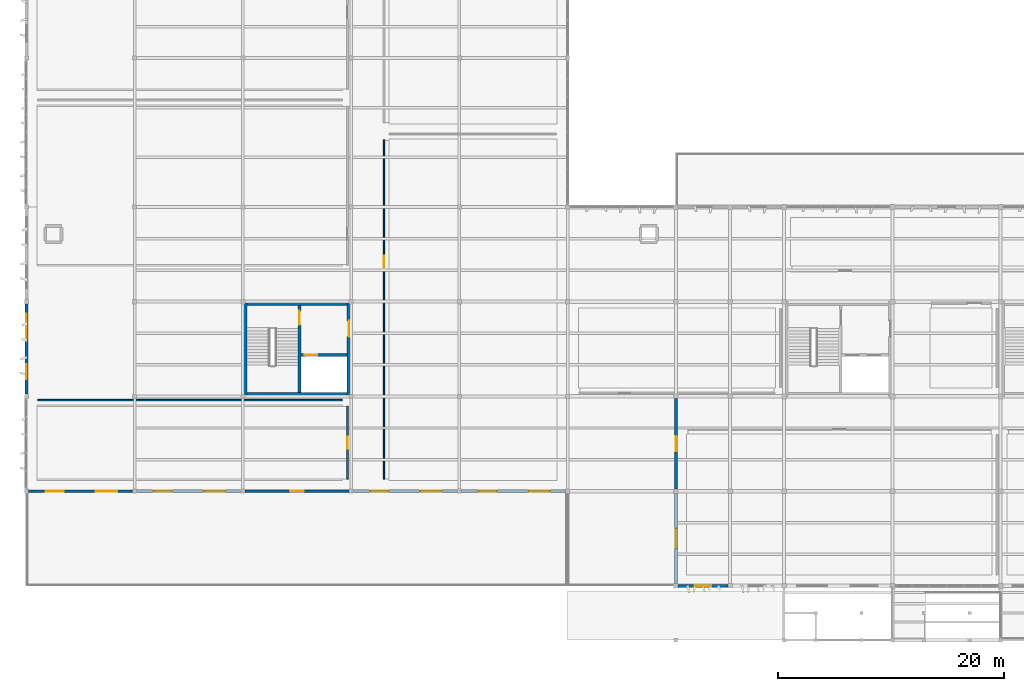
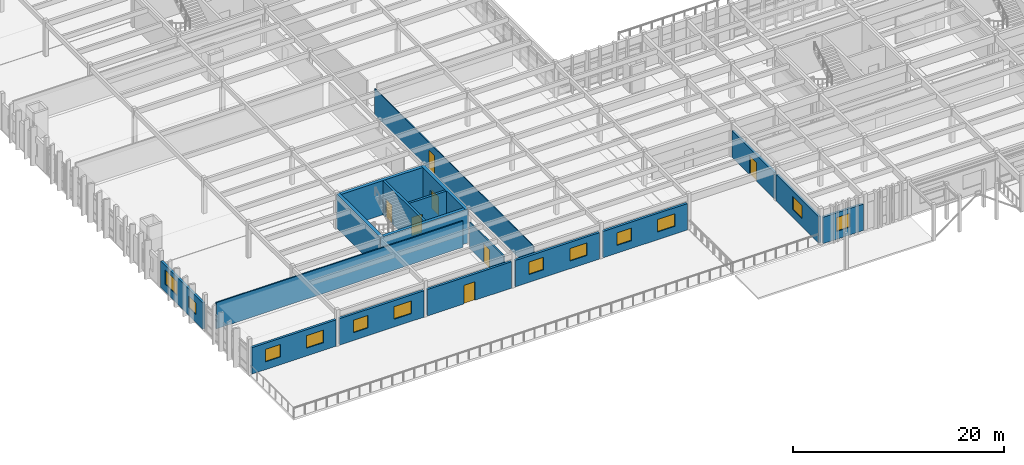
# One storey, part 40 of 61: 18 walls, 12 windows, 7 doors, 19 openings.
"""IFC4 building model written with IfcOpenShell, lengths in metres."""

from ifc_helpers import new_model, si_unit, direction, frame, frame_2d, origin, place, context, subcontext, project, spatial, rectangle, extrude, material, layer, layer_set, type_object, element, fill, save


model = new_model("IFC4")

# Units and contexts
model_context = context("Model", 3, precision=1e-05, world=origin(), true_north=direction((0.0, 1.0)))
body_context = subcontext(model_context, "Body", "Model", "MODEL_VIEW")
ifc_project = project(units=[si_unit("LENGTHUNIT", "METRE"), si_unit("AREAUNIT", "SQUARE_METRE"), si_unit("VOLUMEUNIT", "CUBIC_METRE"), si_unit("PLANEANGLEUNIT", "RADIAN"), si_unit("MASSUNIT", "GRAM", prefix="KILO")], contexts=[model_context])

# Site, building, storey
site_placement = place(None, origin())
site = spatial("IfcSite", under=ifc_project, at=site_placement, CompositionType="ELEMENT")
building_placement = place(site_placement, origin())
building = spatial("IfcBuilding", under=site, at=building_placement, Name="Kolvemor Railside Polytechnic", CompositionType="ELEMENT")
storey_placement = place(building_placement, frame((0.0, 0.0, 10.199951171875)))
storey = spatial("IfcBuildingStorey", under=building, at=storey_placement, Name="L02", CompositionType="ELEMENT", Elevation=10.199951171875)

# Walls
ifc_material_1 = material(Name="Concrete C40/50", Category="concrete")
ifc_layer_1 = layer(ifc_material_1, 0.35009765625, Name="WL-CORE-350")
ifc_layer_set_1 = layer_set([ifc_layer_1], Name="Concrete C40/50")
wall_type_1 = type_object("IfcWallType", Name="WL-CORE-350", PredefinedType="SHEAR", material=ifc_layer_set_1)
for number, where, z_axis, x_axis, name in (
    (1, (19.199951171875, 29.824951171875, 0.0), (0.0, 0.0, 1.0), (1.0, 0.0, 0.0), "CORE-4 North Core Wall L02"),
    (2, (19.199951171875, 21.77490234375, 0.0), (0.0, 0.0, 1.0), (1.0, 0.0, 0.0), "CORE-4 South Core Wall L02"),
):
    element("IfcWall", number, at=place(storey_placement, frame(where, z_axis=z_axis, x_axis=x_axis)), inside=storey, type_object=wall_type_1, Name=name, PredefinedType="SHEAR", context=body_context, shape_type="SweptSolid", body=[
        extrude(rectangle(XDim=9.60009765625, YDim=0.35009765625, at=frame_2d((4.800048828125, 0.0))), origin(), (0.0, 0.0, 1.0), 3.949951171875),
    ])
wall_1_placement = place(storey_placement, frame((19.375, 21.60009765625, 0.0), z_axis=(0.0, 0.0, 1.0), x_axis=(0.0, 1.0, 0.0)))
element("IfcWall", 3, at=wall_1_placement, inside=storey, type_object=wall_type_1, Name="CORE-4 West Core Wall L02", PredefinedType="SHEAR", context=body_context, shape_type="SweptSolid", body=[
    extrude(rectangle(XDim=8.39990234375, YDim=0.35009765625, at=frame_2d((4.199951171875, 0.0))), origin(), (0.0, 0.0, 1.0), 3.949951171875),
])

# Wall, opening, door
wall_2_placement = place(storey_placement, frame((28.625, 21.60009765625, 0.0), z_axis=(0.0, 0.0, 1.0), x_axis=(0.0, 1.0, 0.0)))
wall_2 = element("IfcWall", 4, at=wall_2_placement, inside=storey, type_object=wall_type_1, Name="CORE-4 East Core Wall L02", PredefinedType="SHEAR", context=body_context, shape_type="SweptSolid", body=[
    extrude(rectangle(XDim=8.39990234375, YDim=0.35009765625, at=frame_2d((4.199951171875, 0.0))), origin(), (0.0, 0.0, 1.0), 3.949951171875),
])
opening_1_placement = place(wall_2_placement, frame((5.300048828125, 0.0, 0.0)))
opening_1 = element("IfcOpeningElement", 5, at=opening_1_placement, cuts=wall_2, Name="Opening D-LOB-4-L02", PredefinedType="OPENING", context=body_context, shape_type="SweptSolid", body=[
    extrude(rectangle(XDim=1.39990234375, YDim=2.14990234375, at=frame_2d((0.699951171875, 1.074951171875))), frame((0.0, 0.18505859375, 0.0), z_axis=(0.0, -1.0, 0.0), x_axis=(1.0, 0.0, 0.0)), (0.0, 0.0, 1.0), 0.3701171875),
])
ifc_material_2 = material(Name="Fire-rated hardwood and brushed stainless-steel door", Category="steel")
door_type_1 = type_object("IfcDoorType", Name="DR-FD60-140x215", OperationType="NOTDEFINED", PredefinedType="DOOR", material=ifc_material_2)
door_1_placement = place(opening_1_placement, origin())
door_1 = element("IfcDoor", 6, at=door_1_placement, inside=storey, type_object=door_type_1, Name="Core Lobby Fire Door CORE-4 L02", OperationType="SINGLE_SWING_RIGHT", OverallHeight=2.14990234375, OverallWidth=1.39990234375, PredefinedType="DOOR", context=body_context, shape_type="SweptSolid", body=[
    extrude(rectangle(XDim=1.39990234375, YDim=2.14990234375, at=frame_2d((0.699951171875, 1.074951171875))), frame((0.0, 0.02490234375, 0.0), z_axis=(0.0, -1.0, 0.0), x_axis=(1.0, 0.0, 0.0)), (0.0, 0.0, 1.0), 0.050048828125),
])
fill(opening_1, door_1)

# Wall, openings, windows
ifc_material_3 = material(Name="Cross-laminated timber CLT E1", Category="wood")
ifc_layer_2 = layer(ifc_material_3, 0.2548828125, Name="WL-EXT-TM-255")
ifc_layer_set_2 = layer_set([ifc_layer_2], Name="Cross-laminated timber CLT E1")
wall_type_2 = type_object("IfcWallType", Name="WL-EXT-TM-255", PredefinedType="SOLIDWALL", material=ifc_layer_set_2)
wall_3_placement = place(storey_placement, frame((0.0, 29.800048828125, 0.0), z_axis=(0.0, 0.0, 1.0), x_axis=(0.0, -1.0, 0.0)))
wall_3 = element("IfcWall", 7, at=wall_3_placement, inside=storey, type_object=wall_type_2, Name="Exterior Wall L02-0053", PredefinedType="SOLIDWALL", context=body_context, shape_type="SweptSolid", body=[
    extrude(rectangle(XDim=8.0, YDim=0.2548828125, at=frame_2d((4.0, 0.0))), origin(), (0.0, 0.0, 1.0), 3.050048828125),
])
opening_2_placement = place(wall_3_placement, frame((0.875, 0.0, 0.89990234375)))
opening_2 = element("IfcOpeningElement", 8, at=opening_2_placement, cuts=wall_3, Name="Opening WN-M10", PredefinedType="OPENING", context=body_context, shape_type="SweptSolid", body=[
    extrude(rectangle(XDim=2.25, YDim=1.64990234375, at=frame_2d((1.125, 0.824951171875))), frame((0.0, 0.137451171875, 0.0), z_axis=(0.0, -1.0, 0.0), x_axis=(1.0, 0.0, 0.0)), (0.0, 0.0, 1.0), 0.27490234375),
])
opening_3_placement = place(wall_3_placement, frame((5.324951171875, 0.0, 0.89990234375)))
opening_3 = element("IfcOpeningElement", 9, at=opening_3_placement, cuts=wall_3, Name="Opening WN-M17", PredefinedType="OPENING", context=body_context, shape_type="SweptSolid", body=[
    extrude(rectangle(XDim=1.35009765625, YDim=1.35009765625, at=frame_2d((0.675048828125, 0.675048828125))), frame((0.0, 0.137451171875, 0.0), z_axis=(0.0, -1.0, 0.0), x_axis=(1.0, 0.0, 0.0)), (0.0, 0.0, 1.0), 0.27490234375),
])
ifc_material_4 = material(Name="Hurricane-laminated thermally broken aluminium window", Category="aluminium")
window_type_1 = type_object("IfcWindowType", Name="WN-MOD-135x135", PartitioningType="SINGLE_PANEL", PredefinedType="WINDOW", material=ifc_material_4)
window_1_placement = place(opening_3_placement, origin())
window_1 = element("IfcWindow", 10, at=window_1_placement, inside=storey, type_object=window_type_1, Name="Window L02-0050", OverallHeight=1.35009765625, OverallWidth=1.35009765625, PartitioningType="SINGLE_PANEL", PredefinedType="WINDOW", context=body_context, shape_type="SweptSolid", body=[
    extrude(rectangle(XDim=1.35009765625, YDim=1.35009765625, at=frame_2d((0.675048828125, 0.675048828125))), frame((0.0, 0.030029296875, 0.0), z_axis=(0.0, -1.0, 0.0), x_axis=(1.0, 0.0, 0.0)), (0.0, 0.0, 1.0), 0.06005859375),
])
fill(opening_3, window_1)
ifc_material_5 = material(Name="Hurricane-laminated thermally broken aluminium window", Category="aluminium")
window_type_2 = type_object("IfcWindowType", Name="WN-MOD-225x165", PartitioningType="DOUBLE_PANEL_VERTICAL", PredefinedType="WINDOW", material=ifc_material_5)
window_2_placement = place(opening_2_placement, origin())
window_2 = element("IfcWindow", 11, at=window_2_placement, inside=storey, type_object=window_type_2, Name="Window L02-0049", OverallHeight=1.64990234375, OverallWidth=2.25, PartitioningType="SINGLE_PANEL", PredefinedType="WINDOW", context=body_context, shape_type="SweptSolid", body=[
    extrude(rectangle(XDim=2.25, YDim=1.64990234375, at=frame_2d((1.125, 0.824951171875))), frame((0.0, 0.030029296875, 0.0), z_axis=(0.0, -1.0, 0.0), x_axis=(1.0, 0.0, 0.0)), (0.0, 0.0, 1.0), 0.06005859375),
])
fill(opening_2, window_2)

wall_4_placement = place(storey_placement, frame((0.199951171875, 13.199951171875, 0.0), z_axis=(0.0, 0.0, 1.0), x_axis=(1.0, 0.0, 0.0)))
wall_4 = element("IfcWall", 12, at=wall_4_placement, inside=storey, type_object=wall_type_2, Name="Exterior Wall L02-0105", PredefinedType="SOLIDWALL", context=body_context, shape_type="SweptSolid", body=[
    extrude(rectangle(XDim=9.199951171875, YDim=0.2548828125, at=frame_2d((4.60009765625, 0.0))), origin(), (0.0, 0.0, 1.0), 3.050048828125),
])
opening_4_placement = place(wall_4_placement, frame((1.5, 0.0, 0.89990234375)))
opening_4 = element("IfcOpeningElement", 13, at=opening_4_placement, cuts=wall_4, Name="Opening WN-SEM1", PredefinedType="OPENING", context=body_context, shape_type="SweptSolid", body=[
    extrude(rectangle(XDim=1.60009765625, YDim=1.449951171875, at=frame_2d((0.800048828125, 0.72509765625))), frame((0.0, 0.137451171875, 0.0), z_axis=(0.0, -1.0, 0.0), x_axis=(1.0, 0.0, 0.0)), (0.0, 0.0, 1.0), 0.27490234375),
])
opening_5_placement = place(wall_4_placement, frame((5.949951171875, 0.0, 0.89990234375)))
opening_5 = element("IfcOpeningElement", 14, at=opening_5_placement, cuts=wall_4, Name="Opening WN-SEM2", PredefinedType="OPENING", context=body_context, shape_type="SweptSolid", body=[
    extrude(rectangle(XDim=1.89990234375, YDim=1.449951171875, at=frame_2d((0.949951171875, 0.72509765625))), frame((0.0, 0.137451171875, 0.0), z_axis=(0.0, -1.0, 0.0), x_axis=(1.0, 0.0, 0.0)), (0.0, 0.0, 1.0), 0.27490234375),
])
ifc_material_6 = material(Name="Hurricane-laminated thermally broken aluminium window", Category="aluminium")
window_type_3 = type_object("IfcWindowType", Name="WN-SEM-160x145", PartitioningType="SINGLE_PANEL", PredefinedType="WINDOW", material=ifc_material_6)
window_3_placement = place(opening_4_placement, origin())
window_3 = element("IfcWindow", 15, at=window_3_placement, inside=storey, type_object=window_type_3, Name="Window L02-0106", OverallHeight=1.449951171875, OverallWidth=1.60009765625, PartitioningType="SINGLE_PANEL", PredefinedType="WINDOW", context=body_context, shape_type="SweptSolid", body=[
    extrude(rectangle(XDim=1.60009765625, YDim=1.449951171875, at=frame_2d((0.800048828125, 0.72509765625))), frame((0.0, 0.030029296875, 0.0), z_axis=(0.0, -1.0, 0.0), x_axis=(1.0, 0.0, 0.0)), (0.0, 0.0, 1.0), 0.06005859375),
])
fill(opening_4, window_3)
ifc_material_7 = material(Name="Hurricane-laminated thermally broken aluminium window", Category="aluminium")
window_type_4 = type_object("IfcWindowType", Name="WN-SEM-190x145", PartitioningType="DOUBLE_PANEL_VERTICAL", PredefinedType="WINDOW", material=ifc_material_7)
window_4_placement = place(opening_5_placement, origin())
window_4 = element("IfcWindow", 16, at=window_4_placement, inside=storey, type_object=window_type_4, Name="Window L02-0107", OverallHeight=1.449951171875, OverallWidth=1.89990234375, PartitioningType="SINGLE_PANEL", PredefinedType="WINDOW", context=body_context, shape_type="SweptSolid", body=[
    extrude(rectangle(XDim=1.89990234375, YDim=1.449951171875, at=frame_2d((0.949951171875, 0.72509765625))), frame((0.0, 0.030029296875, 0.0), z_axis=(0.0, -1.0, 0.0), x_axis=(1.0, 0.0, 0.0)), (0.0, 0.0, 1.0), 0.06005859375),
])
fill(opening_5, window_4)

wall_5_placement = place(storey_placement, frame((9.800048828125, 13.199951171875, 0.0), z_axis=(0.0, 0.0, 1.0), x_axis=(1.0, 0.0, 0.0)))
wall_5 = element("IfcWall", 17, at=wall_5_placement, inside=storey, type_object=wall_type_2, Name="Exterior Wall L02-0106", PredefinedType="SOLIDWALL", context=body_context, shape_type="SweptSolid", body=[
    extrude(rectangle(XDim=9.199951171875, YDim=0.2548828125, at=frame_2d((4.60009765625, 0.0))), origin(), (0.0, 0.0, 1.0), 3.050048828125),
])
opening_6_placement = place(wall_5_placement, frame((1.5, 0.0, 0.89990234375)))
opening_6 = element("IfcOpeningElement", 18, at=opening_6_placement, cuts=wall_5, Name="Opening WN-SEM1", PredefinedType="OPENING", context=body_context, shape_type="SweptSolid", body=[
    extrude(rectangle(XDim=1.60009765625, YDim=1.449951171875, at=frame_2d((0.800048828125, 0.72509765625))), frame((0.0, 0.137451171875, 0.0), z_axis=(0.0, -1.0, 0.0), x_axis=(1.0, 0.0, 0.0)), (0.0, 0.0, 1.0), 0.27490234375),
])
opening_7_placement = place(wall_5_placement, frame((5.949951171875, 0.0, 0.89990234375)))
opening_7 = element("IfcOpeningElement", 19, at=opening_7_placement, cuts=wall_5, Name="Opening WN-SEM2", PredefinedType="OPENING", context=body_context, shape_type="SweptSolid", body=[
    extrude(rectangle(XDim=1.89990234375, YDim=1.449951171875, at=frame_2d((0.949951171875, 0.72509765625))), frame((0.0, 0.137451171875, 0.0), z_axis=(0.0, -1.0, 0.0), x_axis=(1.0, 0.0, 0.0)), (0.0, 0.0, 1.0), 0.27490234375),
])
window_5_placement = place(opening_6_placement, origin())
window_5 = element("IfcWindow", 20, at=window_5_placement, inside=storey, type_object=window_type_3, Name="Window L02-0108", OverallHeight=1.449951171875, OverallWidth=1.60009765625, PartitioningType="SINGLE_PANEL", PredefinedType="WINDOW", context=body_context, shape_type="SweptSolid", body=[
    extrude(rectangle(XDim=1.60009765625, YDim=1.449951171875, at=frame_2d((0.800048828125, 0.72509765625))), frame((0.0, 0.030029296875, 0.0), z_axis=(0.0, -1.0, 0.0), x_axis=(1.0, 0.0, 0.0)), (0.0, 0.0, 1.0), 0.06005859375),
])
fill(opening_6, window_5)
window_6_placement = place(opening_7_placement, origin())
window_6 = element("IfcWindow", 21, at=window_6_placement, inside=storey, type_object=window_type_4, Name="Window L02-0109", OverallHeight=1.449951171875, OverallWidth=1.89990234375, PartitioningType="SINGLE_PANEL", PredefinedType="WINDOW", context=body_context, shape_type="SweptSolid", body=[
    extrude(rectangle(XDim=1.89990234375, YDim=1.449951171875, at=frame_2d((0.949951171875, 0.72509765625))), frame((0.0, 0.030029296875, 0.0), z_axis=(0.0, -1.0, 0.0), x_axis=(1.0, 0.0, 0.0)), (0.0, 0.0, 1.0), 0.06005859375),
])
fill(opening_7, window_6)

# Wall, opening, door
wall_6_placement = place(storey_placement, frame((19.39990234375, 13.199951171875, 0.0), z_axis=(0.0, 0.0, 1.0), x_axis=(1.0, 0.0, 0.0)))
wall_6 = element("IfcWall", 22, at=wall_6_placement, inside=storey, type_object=wall_type_2, Name="Exterior Wall L02-0107", PredefinedType="SOLIDWALL", context=body_context, shape_type="SweptSolid", body=[
    extrude(rectangle(XDim=9.2001953125, YDim=0.2548828125, at=frame_2d((4.60009765625, 0.0))), origin(), (0.0, 0.0, 1.0), 3.050048828125),
])
opening_8_placement = place(wall_6_placement, frame((4.0, 0.0, 0.0)))
opening_8 = element("IfcOpeningElement", 23, at=opening_8_placement, cuts=wall_6, Name="Opening D-TER-V3S", PredefinedType="OPENING", context=body_context, shape_type="SweptSolid", body=[
    extrude(rectangle(XDim=1.199951171875, YDim=2.14990234375, at=frame_2d((0.60009765625, 1.074951171875))), frame((0.0, 0.137451171875, 0.0), z_axis=(0.0, -1.0, 0.0), x_axis=(1.0, 0.0, 0.0)), (0.0, 0.0, 1.0), 0.27490234375),
])
ifc_material_8 = material(Name="Marine-grade thermally broken aluminium and laminated glass door", Category="aluminium")
door_type_2 = type_object("IfcDoorType", Name="DR-TER-120x215", OperationType="NOTDEFINED", PredefinedType="DOOR", material=ifc_material_8)
door_2_placement = place(opening_8_placement, origin())
door_2 = element("IfcDoor", 24, at=door_2_placement, inside=storey, type_object=door_type_2, Name="Exterior Door D-TER-V3S", OperationType="SINGLE_SWING_LEFT", OverallHeight=2.14990234375, OverallWidth=1.199951171875, PredefinedType="DOOR", context=body_context, shape_type="SweptSolid", body=[
    extrude(rectangle(XDim=1.199951171875, YDim=2.14990234375, at=frame_2d((0.60009765625, 1.074951171875))), frame((0.0, 0.02490234375, 0.0), z_axis=(0.0, -1.0, 0.0), x_axis=(1.0, 0.0, 0.0)), (0.0, 0.0, 1.0), 0.050048828125),
])
fill(opening_8, door_2)

# Wall, openings, windows
wall_7_placement = place(storey_placement, frame((29.0, 13.199951171875, 0.0), z_axis=(0.0, 0.0, 1.0), x_axis=(1.0, 0.0, 0.0)))
wall_7 = element("IfcWall", 25, at=wall_7_placement, inside=storey, type_object=wall_type_2, Name="Exterior Wall L02-0108", PredefinedType="SOLIDWALL", context=body_context, shape_type="SweptSolid", body=[
    extrude(rectangle(XDim=9.199951171875, YDim=0.2548828125, at=frame_2d((4.60009765625, 0.0))), origin(), (0.0, 0.0, 1.0), 3.050048828125),
])
opening_9_placement = place(wall_7_placement, frame((1.5, 0.0, 0.89990234375)))
opening_9 = element("IfcOpeningElement", 26, at=opening_9_placement, cuts=wall_7, Name="Opening WN-SEM1", PredefinedType="OPENING", context=body_context, shape_type="SweptSolid", body=[
    extrude(rectangle(XDim=1.60009765625, YDim=1.449951171875, at=frame_2d((0.800048828125, 0.72509765625))), frame((0.0, 0.137451171875, 0.0), z_axis=(0.0, -1.0, 0.0), x_axis=(1.0, 0.0, 0.0)), (0.0, 0.0, 1.0), 0.27490234375),
])
opening_10_placement = place(wall_7_placement, frame((5.949951171875, 0.0, 0.89990234375)))
opening_10 = element("IfcOpeningElement", 27, at=opening_10_placement, cuts=wall_7, Name="Opening WN-SEM2", PredefinedType="OPENING", context=body_context, shape_type="SweptSolid", body=[
    extrude(rectangle(XDim=1.89990234375, YDim=1.449951171875, at=frame_2d((0.949951171875, 0.72509765625))), frame((0.0, 0.137451171875, 0.0), z_axis=(0.0, -1.0, 0.0), x_axis=(1.0, 0.0, 0.0)), (0.0, 0.0, 1.0), 0.27490234375),
])
window_7_placement = place(opening_9_placement, origin())
window_7 = element("IfcWindow", 28, at=window_7_placement, inside=storey, type_object=window_type_3, Name="Window L02-0110", OverallHeight=1.449951171875, OverallWidth=1.60009765625, PartitioningType="SINGLE_PANEL", PredefinedType="WINDOW", context=body_context, shape_type="SweptSolid", body=[
    extrude(rectangle(XDim=1.60009765625, YDim=1.449951171875, at=frame_2d((0.800048828125, 0.72509765625))), frame((0.0, 0.030029296875, 0.0), z_axis=(0.0, -1.0, 0.0), x_axis=(1.0, 0.0, 0.0)), (0.0, 0.0, 1.0), 0.06005859375),
])
fill(opening_9, window_7)
window_8_placement = place(opening_10_placement, origin())
window_8 = element("IfcWindow", 29, at=window_8_placement, inside=storey, type_object=window_type_4, Name="Window L02-0111", OverallHeight=1.449951171875, OverallWidth=1.89990234375, PartitioningType="SINGLE_PANEL", PredefinedType="WINDOW", context=body_context, shape_type="SweptSolid", body=[
    extrude(rectangle(XDim=1.89990234375, YDim=1.449951171875, at=frame_2d((0.949951171875, 0.72509765625))), frame((0.0, 0.030029296875, 0.0), z_axis=(0.0, -1.0, 0.0), x_axis=(1.0, 0.0, 0.0)), (0.0, 0.0, 1.0), 0.06005859375),
])
fill(opening_10, window_8)

wall_8_placement = place(storey_placement, frame((38.60009765625, 13.199951171875, 0.0), z_axis=(0.0, 0.0, 1.0), x_axis=(1.0, 0.0, 0.0)))
wall_8 = element("IfcWall", 30, at=wall_8_placement, inside=storey, type_object=wall_type_2, Name="Exterior Wall L02-0109", PredefinedType="SOLIDWALL", context=body_context, shape_type="SweptSolid", body=[
    extrude(rectangle(XDim=9.199951171875, YDim=0.2548828125, at=frame_2d((4.60009765625, 0.0))), origin(), (0.0, 0.0, 1.0), 3.050048828125),
])
opening_11_placement = place(wall_8_placement, frame((1.5, 0.0, 0.89990234375)))
opening_11 = element("IfcOpeningElement", 31, at=opening_11_placement, cuts=wall_8, Name="Opening WN-SEM1", PredefinedType="OPENING", context=body_context, shape_type="SweptSolid", body=[
    extrude(rectangle(XDim=1.60009765625, YDim=1.449951171875, at=frame_2d((0.800048828125, 0.72509765625))), frame((0.0, 0.137451171875, 0.0), z_axis=(0.0, -1.0, 0.0), x_axis=(1.0, 0.0, 0.0)), (0.0, 0.0, 1.0), 0.27490234375),
])
opening_12_placement = place(wall_8_placement, frame((5.949951171875, 0.0, 0.89990234375)))
opening_12 = element("IfcOpeningElement", 32, at=opening_12_placement, cuts=wall_8, Name="Opening WN-SEM2", PredefinedType="OPENING", context=body_context, shape_type="SweptSolid", body=[
    extrude(rectangle(XDim=1.89990234375, YDim=1.449951171875, at=frame_2d((0.949951171875, 0.72509765625))), frame((0.0, 0.137451171875, 0.0), z_axis=(0.0, -1.0, 0.0), x_axis=(1.0, 0.0, 0.0)), (0.0, 0.0, 1.0), 0.27490234375),
])
window_9_placement = place(opening_11_placement, origin())
window_9 = element("IfcWindow", 33, at=window_9_placement, inside=storey, type_object=window_type_3, Name="Window L02-0112", OverallHeight=1.449951171875, OverallWidth=1.60009765625, PartitioningType="SINGLE_PANEL", PredefinedType="WINDOW", context=body_context, shape_type="SweptSolid", body=[
    extrude(rectangle(XDim=1.60009765625, YDim=1.449951171875, at=frame_2d((0.800048828125, 0.72509765625))), frame((0.0, 0.030029296875, 0.0), z_axis=(0.0, -1.0, 0.0), x_axis=(1.0, 0.0, 0.0)), (0.0, 0.0, 1.0), 0.06005859375),
])
fill(opening_11, window_9)
window_10_placement = place(opening_12_placement, origin())
window_10 = element("IfcWindow", 34, at=window_10_placement, inside=storey, type_object=window_type_4, Name="Window L02-0113", OverallHeight=1.449951171875, OverallWidth=1.89990234375, PartitioningType="SINGLE_PANEL", PredefinedType="WINDOW", context=body_context, shape_type="SweptSolid", body=[
    extrude(rectangle(XDim=1.89990234375, YDim=1.449951171875, at=frame_2d((0.949951171875, 0.72509765625))), frame((0.0, 0.030029296875, 0.0), z_axis=(0.0, -1.0, 0.0), x_axis=(1.0, 0.0, 0.0)), (0.0, 0.0, 1.0), 0.06005859375),
])
fill(opening_12, window_10)

# Wall, opening, window
wall_9_placement = place(storey_placement, frame((57.800048828125, 4.800048828125, 0.0), z_axis=(0.0, 0.0, 1.0), x_axis=(1.0, 0.0, 0.0)))
wall_9 = element("IfcWall", 35, at=wall_9_placement, inside=storey, type_object=wall_type_2, Name="Exterior Wall L02-0122", PredefinedType="SOLIDWALL", context=body_context, shape_type="SweptSolid", body=[
    extrude(rectangle(XDim=4.39990234375, YDim=0.2548828125, at=frame_2d((2.199951171875, 0.0))), origin(), (0.0, 0.0, 1.0), 3.050048828125),
])
opening_13_placement = place(wall_9_placement, frame((1.449951171875, 0.0, 0.89990234375)))
opening_13 = element("IfcOpeningElement", 36, at=opening_13_placement, cuts=wall_9, Name="Opening WN-STU4", PredefinedType="OPENING", context=body_context, shape_type="SweptSolid", body=[
    extrude(rectangle(XDim=1.5, YDim=1.60009765625, at=frame_2d((0.75, 0.800048828125))), frame((0.0, 0.137451171875, 0.0), z_axis=(0.0, -1.0, 0.0), x_axis=(1.0, 0.0, 0.0)), (0.0, 0.0, 1.0), 0.27490234375),
])
ifc_material_9 = material(Name="Hurricane-laminated thermally broken aluminium window", Category="aluminium")
window_type_5 = type_object("IfcWindowType", Name="WN-STU-150x160", PartitioningType="SINGLE_PANEL", PredefinedType="WINDOW", material=ifc_material_9)
window_11_placement = place(opening_13_placement, origin())
window_11 = element("IfcWindow", 37, at=window_11_placement, inside=storey, type_object=window_type_5, Name="Window L02-0130", OverallHeight=1.60009765625, OverallWidth=1.5, PartitioningType="SINGLE_PANEL", PredefinedType="WINDOW", context=body_context, shape_type="SweptSolid", body=[
    extrude(rectangle(XDim=1.5, YDim=1.60009765625, at=frame_2d((0.75, 0.800048828125))), frame((0.0, 0.030029296875, 0.0), z_axis=(0.0, -1.0, 0.0), x_axis=(1.0, 0.0, 0.0)), (0.0, 0.0, 1.0), 0.06005859375),
])
fill(opening_13, window_11)

# Wall, opening, door
wall_10_placement = place(storey_placement, frame((57.60009765625, 21.39990234375, 0.0), z_axis=(0.0, 0.0, 1.0), x_axis=(0.0, -1.0, 0.0)))
wall_10 = element("IfcWall", 38, at=wall_10_placement, inside=storey, type_object=wall_type_2, Name="Exterior Wall L02-0163", PredefinedType="SOLIDWALL", context=body_context, shape_type="SweptSolid", body=[
    extrude(rectangle(XDim=8.0, YDim=0.2548828125, at=frame_2d((4.0, 0.0))), origin(), (0.0, 0.0, 1.0), 3.050048828125),
])
opening_14_placement = place(wall_10_placement, frame((3.324951171875, 0.0, 0.0)))
opening_14 = element("IfcOpeningElement", 39, at=opening_14_placement, cuts=wall_10, Name="Opening D-TER-L02SW", PredefinedType="OPENING", context=body_context, shape_type="SweptSolid", body=[
    extrude(rectangle(XDim=1.35009765625, YDim=2.14990234375, at=frame_2d((0.675048828125, 1.074951171875))), frame((0.0, 0.137451171875, 0.0), z_axis=(0.0, -1.0, 0.0), x_axis=(1.0, 0.0, 0.0)), (0.0, 0.0, 1.0), 0.27490234375),
])
ifc_material_10 = material(Name="Marine-grade thermally broken aluminium and laminated glass door", Category="aluminium")
door_type_3 = type_object("IfcDoorType", Name="DR-TER-135x215", OperationType="NOTDEFINED", PredefinedType="DOOR", material=ifc_material_10)
door_3_placement = place(opening_14_placement, origin())
door_3 = element("IfcDoor", 40, at=door_3_placement, inside=storey, type_object=door_type_3, Name="Exterior Door D-TER-L02SW", OperationType="SINGLE_SWING_LEFT", OverallHeight=2.14990234375, OverallWidth=1.35009765625, PredefinedType="DOOR", context=body_context, shape_type="SweptSolid", body=[
    extrude(rectangle(XDim=1.35009765625, YDim=2.14990234375, at=frame_2d((0.675048828125, 1.074951171875))), frame((0.0, 0.02490234375, 0.0), z_axis=(0.0, -1.0, 0.0), x_axis=(1.0, 0.0, 0.0)), (0.0, 0.0, 1.0), 0.050048828125),
])
fill(opening_14, door_3)

# Wall, opening, window
wall_11_placement = place(storey_placement, frame((57.60009765625, 13.0, 0.0), z_axis=(0.0, 0.0, 1.0), x_axis=(0.0, -1.0, 0.0)))
wall_11 = element("IfcWall", 41, at=wall_11_placement, inside=storey, type_object=wall_type_2, Name="Exterior Wall L02-0164", PredefinedType="SOLIDWALL", context=body_context, shape_type="SweptSolid", body=[
    extrude(rectangle(XDim=8.0, YDim=0.2548828125, at=frame_2d((4.0, 0.0))), origin(), (0.0, 0.0, 1.0), 3.050048828125),
])
opening_15_placement = place(wall_11_placement, frame((3.10009765625, 0.0, 0.89990234375)))
opening_15 = element("IfcOpeningElement", 42, at=opening_15_placement, cuts=wall_11, Name="Opening WN-LAB", PredefinedType="OPENING", context=body_context, shape_type="SweptSolid", body=[
    extrude(rectangle(XDim=1.800048828125, YDim=1.5, at=frame_2d((0.89990234375, 0.75))), frame((0.0, 0.137451171875, 0.0), z_axis=(0.0, -1.0, 0.0), x_axis=(1.0, 0.0, 0.0)), (0.0, 0.0, 1.0), 0.27490234375),
])
ifc_material_11 = material(Name="Hurricane-laminated thermally broken aluminium window", Category="aluminium")
window_type_6 = type_object("IfcWindowType", Name="WN-LAB-180x150", PartitioningType="DOUBLE_PANEL_VERTICAL", PredefinedType="WINDOW", material=ifc_material_11)
window_12_placement = place(opening_15_placement, origin())
window_12 = element("IfcWindow", 43, at=window_12_placement, inside=storey, type_object=window_type_6, Name="Window L02-0174", OverallHeight=1.5, OverallWidth=1.800048828125, PartitioningType="SINGLE_PANEL", PredefinedType="WINDOW", context=body_context, shape_type="SweptSolid", body=[
    extrude(rectangle(XDim=1.800048828125, YDim=1.5, at=frame_2d((0.89990234375, 0.75))), frame((0.0, 0.030029296875, 0.0), z_axis=(0.0, -1.0, 0.0), x_axis=(1.0, 0.0, 0.0)), (0.0, 0.0, 1.0), 0.06005859375),
])
fill(opening_15, window_12)

# Wall, opening, door
ifc_material_12 = material(Name="Demountable studio critique screen wall")
ifc_layer_3 = layer(ifc_material_12, 0.10009765625, Name="WL-MOV-100")
ifc_layer_set_3 = layer_set([ifc_layer_3], Name="Demountable studio critique screen wall")
wall_type_3 = type_object("IfcWallType", Name="WL-MOV-100", PredefinedType="MOVABLE", material=ifc_layer_set_3)
wall_12_placement = place(storey_placement, frame((31.719970703125, 14.25, 0.0), z_axis=(0.0, 0.0, 1.0), x_axis=(0.0, 1.0, 0.0)))
wall_12 = element("IfcWall", 44, at=wall_12_placement, inside=storey, type_object=wall_type_3, Name="Partition Wall L02-0135", PredefinedType="MOVABLE", context=body_context, shape_type="SweptSolid", body=[
    extrude(rectangle(XDim=30.10009765625, YDim=0.10009765625, at=frame_2d((15.050048828125, 0.0))), origin(), (0.0, 0.0, 1.0), 3.030029296875),
])
opening_16_placement = place(wall_12_placement, frame((18.717041015625, 0.0, 0.0)))
opening_16 = element("IfcOpeningElement", 45, at=opening_16_placement, cuts=wall_12, Name="Opening D-02077", PredefinedType="OPENING", context=body_context, shape_type="SweptSolid", body=[
    extrude(rectangle(XDim=1.1201171875, YDim=2.14990234375, at=frame_2d((0.56005859375, 1.074951171875))), frame((0.0, 0.06005859375, 0.0), z_axis=(0.0, -1.0, 0.0), x_axis=(1.0, 0.0, 0.0)), (0.0, 0.0, 1.0), 0.1201171875),
])
ifc_material_13 = material(Name="Solid hardwood acoustic door", Category="wood")
door_type_4 = type_object("IfcDoorType", Name="DR-STU-112x215", OperationType="NOTDEFINED", PredefinedType="DOOR", material=ifc_material_13)
door_4_placement = place(opening_16_placement, origin())
door_4 = element("IfcDoor", 46, at=door_4_placement, inside=storey, type_object=door_type_4, Name="Room Door D-02077 (Urbanism and Coastal Planning Design Studio)", OperationType="SINGLE_SWING_RIGHT", OverallHeight=2.14990234375, OverallWidth=1.1201171875, PredefinedType="DOOR", context=body_context, shape_type="SweptSolid", body=[
    extrude(rectangle(XDim=1.1201171875, YDim=2.14990234375, at=frame_2d((0.56005859375, 1.074951171875))), frame((0.0, 0.02490234375, 0.0), z_axis=(0.0, -1.0, 0.0), x_axis=(1.0, 0.0, 0.0)), (0.0, 0.0, 1.0), 0.050048828125),
])
fill(opening_16, door_4)

ifc_material_14 = material(Name="Seminar acoustic partition")
ifc_layer_4 = layer(ifc_material_14, 0.139892578125, Name="WL-PART-140")
ifc_layer_set_4 = layer_set([ifc_layer_4], Name="Seminar acoustic partition")
wall_type_4 = type_object("IfcWallType", Name="WL-PART-140", PredefinedType="PARTITIONING", material=ifc_layer_set_4)
wall_13_placement = place(storey_placement, frame((28.47998046875, 14.25, 0.0), z_axis=(0.0, 0.0, 1.0), x_axis=(0.0, 1.0, 0.0)))
wall_13 = element("IfcWall", 47, at=wall_13_placement, inside=storey, type_object=wall_type_4, Name="Partition Wall L02-0129", PredefinedType="PARTITIONING", context=body_context, shape_type="SweptSolid", body=[
    extrude(rectangle(XDim=6.5, YDim=0.139892578125, at=frame_2d((3.25, 0.0))), origin(), (0.0, 0.0, 1.0), 3.030029296875),
])
opening_17_placement = place(wall_13_placement, frame((2.7099609375, 0.0, 0.0)))
opening_17 = element("IfcOpeningElement", 48, at=opening_17_placement, cuts=wall_13, Name="Opening D-02074", PredefinedType="OPENING", context=body_context, shape_type="SweptSolid", body=[
    extrude(rectangle(XDim=1.080078125, YDim=2.14990234375, at=frame_2d((0.5400390625, 1.074951171875))), frame((0.0, 0.079833984375, 0.0), z_axis=(0.0, -1.0, 0.0), x_axis=(1.0, 0.0, 0.0)), (0.0, 0.0, 1.0), 0.159912109375),
])
ifc_material_15 = material(Name="Solid hardwood acoustic door", Category="wood")
door_type_5 = type_object("IfcDoorType", Name="DR-SEM-108x215", OperationType="NOTDEFINED", PredefinedType="DOOR", material=ifc_material_15)
door_5_placement = place(opening_17_placement, origin())
door_5 = element("IfcDoor", 49, at=door_5_placement, inside=storey, type_object=door_type_5, Name="Room Door D-02074 (Seminar Room 201)", OperationType="SINGLE_SWING_LEFT", OverallHeight=2.14990234375, OverallWidth=1.080078125, PredefinedType="DOOR", context=body_context, shape_type="SweptSolid", body=[
    extrude(rectangle(XDim=1.080078125, YDim=2.14990234375, at=frame_2d((0.5400390625, 1.074951171875))), frame((0.0, 0.02490234375, 0.0), z_axis=(0.0, -1.0, 0.0), x_axis=(1.0, 0.0, 0.0)), (0.0, 0.0, 1.0), 0.050048828125),
])
fill(opening_17, door_5)

# Wall
wall_14_placement = place(storey_placement, frame((1.0, 21.280029296875, 0.0), z_axis=(0.0, 0.0, 1.0), x_axis=(1.0, 0.0, 0.0)))
element("IfcWall", 50, at=wall_14_placement, inside=storey, type_object=wall_type_4, Name="Demising Partition L02-0130", PredefinedType="PARTITIONING", context=body_context, shape_type="SweptSolid", body=[
    extrude(rectangle(XDim=27.0, YDim=0.139892578125, at=frame_2d((13.5, 0.0))), origin(), (0.0, 0.0, 1.0), 3.030029296875),
])

# Wall, opening, door
ifc_material_16 = material(Name="Concrete C40/50", Category="concrete")
ifc_layer_5 = layer(ifc_material_16, 0.25, Name="WL-SHFT-250")
ifc_layer_set_5 = layer_set([ifc_layer_5], Name="Concrete C40/50")
wall_type_5 = type_object("IfcWallType", Name="WL-SHFT-250", PredefinedType="SHEAR", material=ifc_layer_set_5)
wall_15_placement = place(storey_placement, frame((24.22509765625, 29.64990234375, 0.0), z_axis=(0.0, 0.0, 1.0), x_axis=(0.0, -1.0, 0.0)))
wall_15 = element("IfcWall", 51, at=wall_15_placement, inside=storey, type_object=wall_type_5, Name="CORE-4 Stair-Lobby Divider Wall L02", PredefinedType="SHEAR", context=body_context, shape_type="SweptSolid", body=[
    extrude(rectangle(XDim=7.699951171875, YDim=0.25, at=frame_2d((3.85009765625, 0.0))), origin(), (0.0, 0.0, 1.0), 3.949951171875),
])
opening_18_placement = place(wall_15_placement, frame((0.449951171875, 0.0, 0.0)))
opening_18 = element("IfcOpeningElement", 52, at=opening_18_placement, cuts=wall_15, Name="Opening D-ST-4-L02", PredefinedType="OPENING", context=body_context, shape_type="SweptSolid", body=[
    extrude(rectangle(XDim=1.25, YDim=2.14990234375, at=frame_2d((0.625, 1.074951171875))), frame((0.0, 0.135009765625, 0.0), z_axis=(0.0, -1.0, 0.0), x_axis=(1.0, 0.0, 0.0)), (0.0, 0.0, 1.0), 0.27001953125),
])
ifc_material_17 = material(Name="Fire-rated hardwood and brushed stainless-steel door", Category="steel")
door_type_6 = type_object("IfcDoorType", Name="DR-FD90-125x215", OperationType="NOTDEFINED", PredefinedType="DOOR", material=ifc_material_17)
door_6_placement = place(opening_18_placement, origin())
door_6 = element("IfcDoor", 53, at=door_6_placement, inside=storey, type_object=door_type_6, Name="Stair Fire Door ST-4 L02", OperationType="SINGLE_SWING_LEFT", OverallHeight=2.14990234375, OverallWidth=1.25, PredefinedType="DOOR", context=body_context, shape_type="SweptSolid", body=[
    extrude(rectangle(XDim=1.25, YDim=2.14990234375, at=frame_2d((0.625, 1.074951171875))), frame((0.0, 0.02490234375, 0.0), z_axis=(0.0, -1.0, 0.0), x_axis=(1.0, 0.0, 0.0)), (0.0, 0.0, 1.0), 0.050048828125),
])
fill(opening_18, door_6)

wall_16_placement = place(storey_placement, frame((24.35009765625, 25.27490234375, 0.0), z_axis=(0.0, 0.0, 1.0), x_axis=(1.0, 0.0, 0.0)))
wall_16 = element("IfcWall", 54, at=wall_16_placement, inside=storey, type_object=wall_type_5, Name="CORE-4 Lift Shaft Front Wall L02", PredefinedType="SHEAR", context=body_context, shape_type="SweptSolid", body=[
    extrude(rectangle(XDim=4.099853515625, YDim=0.25, at=frame_2d((2.0498046875, 0.0))), origin(), (0.0, 0.0, 1.0), 3.949951171875),
])
opening_19_placement = place(wall_16_placement, frame((0.35009765625, 0.0, 0.0)))
opening_19 = element("IfcOpeningElement", 55, at=opening_19_placement, cuts=wall_16, Name="Opening LD-PL-3-L02", PredefinedType="OPENING", context=body_context, shape_type="SweptSolid", body=[
    extrude(rectangle(XDim=1.10009765625, YDim=2.14990234375, at=frame_2d((0.550048828125, 1.074951171875))), frame((0.0, 0.135009765625, 0.0), z_axis=(0.0, -1.0, 0.0), x_axis=(1.0, 0.0, 0.0)), (0.0, 0.0, 1.0), 0.27001953125),
])
ifc_material_18 = material(Name="Fire-rated hardwood and brushed stainless-steel door", Category="steel")
door_type_7 = type_object("IfcDoorType", Name="DR-LIFT-110x215", OperationType="SLIDING_TO_LEFT", PredefinedType="DOOR", material=ifc_material_18)
door_7_placement = place(opening_19_placement, origin())
door_7 = element("IfcDoor", 56, at=door_7_placement, inside=storey, type_object=door_type_7, Name="Lift Landing Sliding Door PL-3 L02", OperationType="SLIDING_TO_LEFT", OverallHeight=2.14990234375, OverallWidth=1.10009765625, PredefinedType="DOOR", context=body_context, shape_type="SweptSolid", body=[
    extrude(rectangle(XDim=1.10009765625, YDim=2.14990234375, at=frame_2d((0.550048828125, 1.074951171875))), frame((0.0, 0.02490234375, 0.0), z_axis=(0.0, -1.0, 0.0), x_axis=(1.0, 0.0, 0.0)), (0.0, 0.0, 1.0), 0.050048828125),
])
fill(opening_19, door_7)

save(model, "model.ifc")
